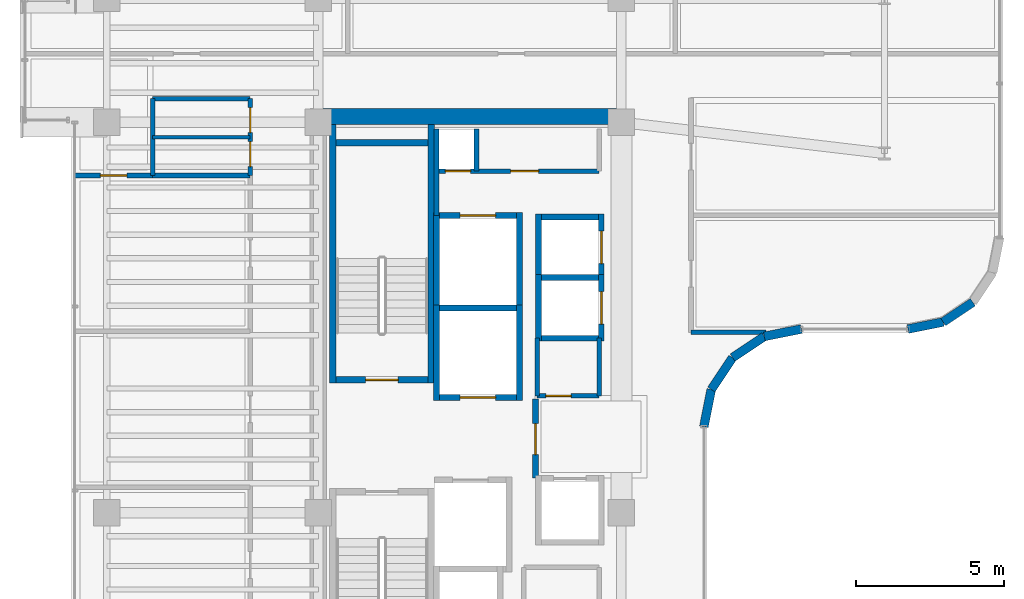
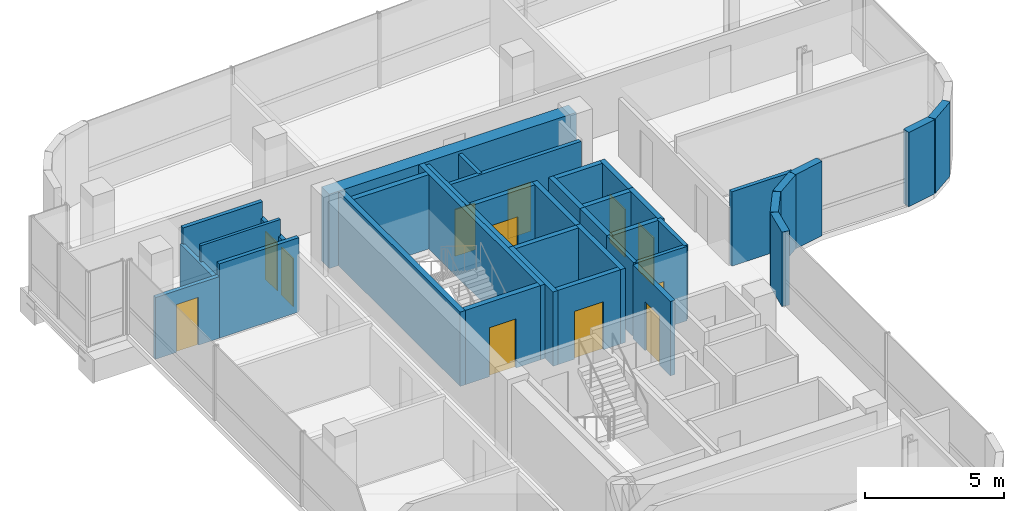
# One storey, part 18 of 21: 39 walls, 12 doors, 12 openings.
"""IFC4 building model written with IfcOpenShell, lengths in metres."""

from ifc_helpers import new_model, si_unit, direction, frame, frame_2d, origin, place, context, subcontext, project, spatial, rectangle, extrude, material, layer, layer_set, type_object, element, fill, save


model = new_model("IFC4")

# Units and contexts
model_context = context("Model", 3, precision=1e-05, world=origin(), true_north=direction((0.0, 1.0)))
body_context = subcontext(model_context, "Body", "Model", "MODEL_VIEW")
ifc_project = project(units=[si_unit("LENGTHUNIT", "METRE"), si_unit("AREAUNIT", "SQUARE_METRE"), si_unit("VOLUMEUNIT", "CUBIC_METRE"), si_unit("PLANEANGLEUNIT", "RADIAN"), si_unit("MASSUNIT", "GRAM", prefix="KILO")], contexts=[model_context])

# Site, building, storey
site_placement = place(None, origin())
site = spatial("IfcSite", under=ifc_project, at=site_placement, CompositionType="ELEMENT")
building_placement = place(site_placement, origin())
building = spatial("IfcBuilding", under=site, at=building_placement, Name="Valdorenza Pilgrim Sanctuary Tower", CompositionType="ELEMENT")
storey_placement = place(building_placement, frame((0.0, 0.0, 219.5)))
storey = spatial("IfcBuildingStorey", under=building, at=storey_placement, Name="L56", CompositionType="ELEMENT", Elevation=219.5)

# Wall
ifc_material_1 = material(Name="Acoustic twin-stud gypsum partition", Category="gypsum")
ifc_layer_1 = layer(ifc_material_1, 0.159912109375, Name="Acoustic twin-stud gypsum partition")
ifc_layer_set_1 = layer_set([ifc_layer_1], Name="Acoustic twin-stud gypsum partition")
wall_type_1 = type_object("IfcWallType", Name="WAL-COR-160", PredefinedType="PARTITIONING", material=ifc_layer_set_1)
wall_1_placement = place(storey_placement, frame((-18.64990234375, 7.449951171875, 0.0), z_axis=(0.0, 0.0, 1.0), x_axis=(0.0, 1.0, 0.0)))
element("IfcWall", 1, at=wall_1_placement, inside=storey, type_object=wall_type_1, Name="L56 Core A North Service West Wall", PredefinedType="PARTITIONING", context=body_context, shape_type="SweptSolid", body=[
    extrude(rectangle(XDim=2.929931640625, YDim=0.159912109375, at=frame_2d((1.46484375, 0.0))), origin(), (0.0, 0.0, 1.0), 3.260009765625),
])

# Wall, openings, doors
wall_2_placement = place(storey_placement, frame((-18.64990234375, 8.949951171875, 0.0), z_axis=(0.0, 0.0, 1.0), x_axis=(1.0, 0.0, 0.0)))
wall_2 = element("IfcWall", 2, at=wall_2_placement, inside=storey, type_object=wall_type_1, Name="L56 Core A North Service South Wall", PredefinedType="PARTITIONING", context=body_context, shape_type="SweptSolid", body=[
    extrude(rectangle(XDim=5.5, YDim=0.159912109375, at=frame_2d((2.75, 0.0))), origin(), (0.0, 0.0, 1.0), 3.260009765625),
])
opening_1_placement = place(wall_2_placement, frame((0.300048828125, 0.0, 0.0)))
opening_1 = element("IfcOpeningElement", 3, at=opening_1_placement, cuts=wall_2, Name="Opening DR-RS1", PredefinedType="OPENING", context=body_context, shape_type="SweptSolid", body=[
    extrude(rectangle(XDim=0.85009765625, YDim=2.050048828125, at=frame_2d((0.425048828125, 1.02490234375))), frame((0.0, 0.0947265625, 0.0), z_axis=(0.0, -1.0, 0.0), x_axis=(1.0, 0.0, 0.0)), (0.0, 0.0, 1.0), 0.189697265625),
])
opening_2_placement = place(wall_2_placement, frame((2.5, 0.0, 0.0)))
opening_2 = element("IfcOpeningElement", 4, at=opening_2_placement, cuts=wall_2, Name="Opening DR-UN1", PredefinedType="OPENING", context=body_context, shape_type="SweptSolid", body=[
    extrude(rectangle(XDim=0.949951171875, YDim=2.14990234375, at=frame_2d((0.47509765625, 1.074951171875))), frame((0.0, 0.0947265625, 0.0), z_axis=(0.0, -1.0, 0.0), x_axis=(1.0, 0.0, 0.0)), (0.0, 0.0, 1.0), 0.189697265625),
])
ifc_material_2 = material(Name="Painted galvanized steel", Category="steel")
door_type_1 = type_object("IfcDoorType", Name="DR-RSR-850", OperationType="NOTDEFINED", PredefinedType="DOOR", material=ifc_material_2)
door_1_placement = place(opening_1_placement, origin())
door_1 = element("IfcDoor", 5, at=door_1_placement, inside=storey, type_object=door_type_1, Name="L56 Core Electrical and Telecom Riser Door", OperationType="SINGLE_SWING_LEFT", OverallHeight=2.050048828125, OverallWidth=0.85009765625, PredefinedType="DOOR", context=body_context, shape_type="SweptSolid", body=[
    extrude(rectangle(XDim=0.85009765625, YDim=2.050048828125, at=frame_2d((0.425048828125, 1.02490234375))), frame((0.0, 0.02490234375, 0.0), z_axis=(0.0, -1.0, 0.0), x_axis=(1.0, 0.0, 0.0)), (0.0, 0.0, 1.0), 0.050048828125),
])
fill(opening_1, door_1)
ifc_material_3 = material(Name="Solid-core European oak timber", Category="wood")
door_type_2 = type_object("IfcDoorType", Name="DR-UNIT-950", OperationType="NOTDEFINED", PredefinedType="DOOR", material=ifc_material_3)
door_2_placement = place(opening_2_placement, origin())
door_2 = element("IfcDoor", 6, at=door_2_placement, inside=storey, type_object=door_type_2, Name="L56 Housekeeping and Clean Linen Room Door", OperationType="SINGLE_SWING_RIGHT", OverallHeight=2.14990234375, OverallWidth=0.949951171875, PredefinedType="DOOR", context=body_context, shape_type="SweptSolid", body=[
    extrude(rectangle(XDim=0.949951171875, YDim=2.14990234375, at=frame_2d((0.47509765625, 1.074951171875))), frame((0.0, 0.02490234375, 0.0), z_axis=(0.0, -1.0, 0.0), x_axis=(1.0, 0.0, 0.0)), (0.0, 0.0, 1.0), 0.050048828125),
])
fill(opening_2, door_2)

# Walls
wall_3_placement = place(storey_placement, frame((-17.300048828125, 8.949951171875, 0.0), z_axis=(0.0, 0.0, 1.0), x_axis=(0.0, 1.0, 0.0)))
element("IfcWall", 7, at=wall_3_placement, inside=storey, type_object=wall_type_1, Name="L56 Core Electrical Riser Wall", PredefinedType="PARTITIONING", context=body_context, shape_type="SweptSolid", body=[
    extrude(rectangle(XDim=1.429931640625, YDim=0.159912109375, at=frame_2d((0.71484375, 0.0))), origin(), (0.0, 0.0, 1.0), 3.260009765625),
])
wall_4_placement = place(storey_placement, frame((-13.14990234375, 1.35009765625, 0.0), z_axis=(0.0, 0.0, 1.0), x_axis=(0.0, 1.0, 0.0)))
element("IfcWall", 8, at=wall_4_placement, inside=storey, type_object=wall_type_1, Name="L56 Freed Shaft 6 East Wall", PredefinedType="PARTITIONING", context=body_context, shape_type="SweptSolid", body=[
    extrude(rectangle(XDim=1.949951171875, YDim=0.159912109375, at=frame_2d((0.97509765625, 0.0))), origin(), (0.0, 0.0, 1.0), 3.260009765625),
])
wall_5_placement = place(storey_placement, frame((-28.25, 8.800048828125, 0.0), z_axis=(0.0, 0.0, 1.0), x_axis=(0.0, 1.0, 0.0)))
element("IfcWall", 9, at=wall_5_placement, inside=storey, type_object=wall_type_1, Name="L56 Washroom West Wall", PredefinedType="PARTITIONING", context=body_context, shape_type="SweptSolid", body=[
    extrude(rectangle(XDim=2.599853515625, YDim=0.159912109375, at=frame_2d((1.2998046875, 0.0))), origin(), (0.0, 0.0, 1.0), 2.5439453125),
])

# Wall, openings, doors
wall_6_placement = place(storey_placement, frame((-24.949951171875, 8.800048828125, 0.0), z_axis=(0.0, 0.0, 1.0), x_axis=(0.0, 1.0, 0.0)))
wall_6 = element("IfcWall", 10, at=wall_6_placement, inside=storey, type_object=wall_type_1, Name="L56 Washroom East Wall", PredefinedType="PARTITIONING", context=body_context, shape_type="SweptSolid", body=[
    extrude(rectangle(XDim=2.599853515625, YDim=0.159912109375, at=frame_2d((1.2998046875, 0.0))), origin(), (0.0, 0.0, 1.0), 2.5439453125),
])
opening_3_placement = place(wall_6_placement, frame((0.300048828125, 0.0, 0.0)))
opening_3 = element("IfcOpeningElement", 11, at=opening_3_placement, cuts=wall_6, Name="Opening DR-WC1", PredefinedType="OPENING", context=body_context, shape_type="SweptSolid", body=[
    extrude(rectangle(XDim=0.85009765625, YDim=2.10009765625, at=frame_2d((0.425048828125, 1.050048828125))), frame((0.0, 0.0947265625, 0.0), z_axis=(0.0, -1.0, 0.0), x_axis=(1.0, 0.0, 0.0)), (0.0, 0.0, 1.0), 0.189697265625),
])
opening_4_placement = place(wall_6_placement, frame((1.449951171875, 0.0, 0.0)))
opening_4 = element("IfcOpeningElement", 12, at=opening_4_placement, cuts=wall_6, Name="Opening DR-WC1", PredefinedType="OPENING", context=body_context, shape_type="SweptSolid", body=[
    extrude(rectangle(XDim=0.85009765625, YDim=2.10009765625, at=frame_2d((0.425048828125, 1.050048828125))), frame((0.0, 0.0947265625, 0.0), z_axis=(0.0, -1.0, 0.0), x_axis=(1.0, 0.0, 0.0)), (0.0, 0.0, 1.0), 0.189697265625),
])
ifc_material_4 = material(Name="Moisture-resistant lacquered timber", Category="wood")
door_type_3 = type_object("IfcDoorType", Name="DR-BATH-850", OperationType="NOTDEFINED", PredefinedType="DOOR", material=ifc_material_4)
door_3_placement = place(opening_3_placement, origin())
door_3 = element("IfcDoor", 13, at=door_3_placement, inside=storey, type_object=door_type_3, Name="L56 Accessible Washroom Door", OperationType="SINGLE_SWING_RIGHT", OverallHeight=2.10009765625, OverallWidth=0.85009765625, PredefinedType="DOOR", context=body_context, shape_type="SweptSolid", body=[
    extrude(rectangle(XDim=0.85009765625, YDim=2.10009765625, at=frame_2d((0.425048828125, 1.050048828125))), frame((0.0, 0.02490234375, 0.0), z_axis=(0.0, -1.0, 0.0), x_axis=(1.0, 0.0, 0.0)), (0.0, 0.0, 1.0), 0.050048828125),
])
fill(opening_3, door_3)
door_4_placement = place(opening_4_placement, origin())
door_4 = element("IfcDoor", 14, at=door_4_placement, inside=storey, type_object=door_type_3, Name="L56 Public Washroom Door", OperationType="SINGLE_SWING_LEFT", OverallHeight=2.10009765625, OverallWidth=0.85009765625, PredefinedType="DOOR", context=body_context, shape_type="SweptSolid", body=[
    extrude(rectangle(XDim=0.85009765625, YDim=2.10009765625, at=frame_2d((0.425048828125, 1.050048828125))), frame((0.0, 0.02490234375, 0.0), z_axis=(0.0, -1.0, 0.0), x_axis=(1.0, 0.0, 0.0)), (0.0, 0.0, 1.0), 0.050048828125),
])
fill(opening_4, door_4)

# Walls
for number, where, z_axis, x_axis, name in (
    (15, (-28.25, 8.800048828125, 0.0), (0.0, 0.0, 1.0), (1.0, 0.0, 0.0), "L56 Washroom South Wall"),
    (16, (-28.25, 11.39990234375, 0.0), (0.0, 0.0, 1.0), (1.0, 0.0, 0.0), "L56 Washroom North Wall"),
):
    element("IfcWall", number, at=place(storey_placement, frame(where, z_axis=z_axis, x_axis=x_axis)), inside=storey, type_object=wall_type_1, Name=name, PredefinedType="PARTITIONING", context=body_context, shape_type="SweptSolid", body=[
        extrude(rectangle(XDim=3.300048828125, YDim=0.159912109375, at=frame_2d((1.64990234375, 0.0))), origin(), (0.0, 0.0, 1.0), 3.260009765625),
    ])

# Wall, opening, door
wall_7_placement = place(storey_placement, frame((-30.889892578125, 8.800048828125, 0.0), z_axis=(0.0, 0.0, 1.0), x_axis=(1.0, 0.0, 0.0)))
wall_7 = element("IfcWall", 17, at=wall_7_placement, inside=storey, type_object=wall_type_1, Name="L56 West North Alcove Wall", PredefinedType="PARTITIONING", context=body_context, shape_type="SweptSolid", body=[
    extrude(rectangle(XDim=2.639892578125, YDim=0.159912109375, at=frame_2d((1.31982421875, 0.0))), origin(), (0.0, 0.0, 1.0), 2.7060546875),
])
opening_5_placement = place(wall_7_placement, frame((0.8701171875, 0.0, 0.0)))
opening_5 = element("IfcOpeningElement", 18, at=opening_5_placement, cuts=wall_7, Name="Opening DR-RM1", PredefinedType="OPENING", context=body_context, shape_type="SweptSolid", body=[
    extrude(rectangle(XDim=0.89990234375, YDim=2.10009765625, at=frame_2d((0.449951171875, 1.050048828125))), frame((0.0, 0.0947265625, 0.0), z_axis=(0.0, -1.0, 0.0), x_axis=(1.0, 0.0, 0.0)), (0.0, 0.0, 1.0), 0.189697265625),
])
door_type_4 = type_object("IfcDoorType", Name="DR-ROOM-900", OperationType="NOTDEFINED", PredefinedType="DOOR", material=ifc_material_3)
door_5_placement = place(opening_5_placement, origin())
door_5 = element("IfcDoor", 19, at=door_5_placement, inside=storey, type_object=door_type_4, Name="L56 Pilgrim Scholar Office L56-WN Door", OperationType="SINGLE_SWING_RIGHT", OverallHeight=2.10009765625, OverallWidth=0.89990234375, PredefinedType="DOOR", context=body_context, shape_type="SweptSolid", body=[
    extrude(rectangle(XDim=0.89990234375, YDim=2.10009765625, at=frame_2d((0.449951171875, 1.050048828125))), frame((0.0, 0.02490234375, 0.0), z_axis=(0.0, -1.0, 0.0), x_axis=(1.0, 0.0, 0.0)), (0.0, 0.0, 1.0), 0.050048828125),
])
fill(opening_5, door_5)

# Walls
wall_8_placement = place(storey_placement, frame((-10.050048828125, 3.5, 0.0), z_axis=(0.0, 0.0, 1.0), x_axis=(1.0, 0.0, 0.0)))
element("IfcWall", 20, at=wall_8_placement, inside=storey, type_object=wall_type_1, Name="L56 East Stub South Wall", PredefinedType="PARTITIONING", context=body_context, shape_type="SweptSolid", body=[
    extrude(rectangle(XDim=2.545654296875, YDim=0.159912109375, at=frame_2d((1.27294921875, 0.0))), origin(), (0.0, 0.0, 1.0), 3.260009765625),
])
ifc_material_5 = material(Name="Concrete C50/60", Category="concrete")
ifc_layer_2 = layer(ifc_material_5, 0.550048828125, Name="Concrete C50/60")
ifc_layer_set_2 = layer_set([ifc_layer_2], Name="Concrete C50/60")
wall_type_2 = type_object("IfcWallType", Name="WAL-COR-550", PredefinedType="SHEAR", material=ifc_layer_set_2)
wall_9_placement = place(storey_placement, frame((-22.64990234375, 10.800048828125, 0.0), z_axis=(0.0, 0.0, 1.0), x_axis=(1.0, 0.0, 0.0)))
element("IfcWall", 21, at=wall_9_placement, inside=storey, type_object=wall_type_2, Name="L56 Split Core A Shear Wall N", PredefinedType="SHEAR", context=body_context, shape_type="SweptSolid", body=[
    extrude(rectangle(XDim=10.25, YDim=0.550048828125, at=frame_2d((5.125, 0.0))), origin(), (0.0, 0.0, 1.0), 3.260009765625),
])
ifc_material_6 = material(Name="Honed travertine limestone", Category="masonry")
ifc_layer_3 = layer(ifc_material_6, 0.300048828125, Name="Honed travertine limestone")
ifc_layer_set_3 = layer_set([ifc_layer_3], Name="Honed travertine limestone")
wall_type_3 = type_object("IfcWallType", Name="WAL-EXT-300", PredefinedType="SOLIDWALL", material=ifc_layer_set_3)
wall_10_placement = place(storey_placement, frame((-0.5166015625, 4.5166015625, 0.0), z_axis=(0.0, 0.0, 1.0), x_axis=(-0.831426265255, -0.555635100982, 0.0)))
element("IfcWall", 22, at=wall_10_placement, inside=storey, type_object=wall_type_3, Name="L56 Rounded Wind-Corner Stone Pier 14", PredefinedType="SOLIDWALL", context=body_context, shape_type="SweptSolid", body=[
    extrude(rectangle(XDim=1.204833984375, YDim=0.300048828125, at=frame_2d((0.6025390625, 0.0))), origin(), (0.0, 0.0, 1.0), 3.260009765625),
])
wall_11_placement = place(storey_placement, frame((-1.518310546875, 3.84716796875, 0.0), z_axis=(0.0, 0.0, 1.0), x_axis=(-0.980804027463, -0.194996050505, 0.0)))
element("IfcWall", 23, at=wall_11_placement, inside=storey, type_object=wall_type_3, Name="L56 Rounded Wind-Corner Stone Pier 15", PredefinedType="SOLIDWALL", context=body_context, shape_type="SweptSolid", body=[
    extrude(rectangle(XDim=1.2158203125, YDim=0.300048828125, at=frame_2d((0.60791015625, 0.0))), origin(), (0.0, 0.0, 1.0), 3.260009765625),
])
wall_12_placement = place(storey_placement, frame((-6.310791015625, 3.610107421875, 0.0), z_axis=(0.0, 0.0, 1.0), x_axis=(-0.980778058848, -0.195126623715, 0.0)))
element("IfcWall", 24, at=wall_12_placement, inside=storey, type_object=wall_type_3, Name="L56 Rounded Wind-Corner Stone Pier 17", PredefinedType="SOLIDWALL", context=body_context, shape_type="SweptSolid", body=[
    extrude(rectangle(XDim=1.28125, YDim=0.300048828125, at=frame_2d((0.640625, 0.0))), origin(), (0.0, 0.0, 1.0), 3.260009765625),
])
for number, where, z_axis, x_axis, name in (
    (25, (-7.5673828125, 3.360107421875, 0.0), (0.0, 0.0, 1.0), (-0.831497739511, -0.555528135371, 0.0), "L56 Rounded Wind-Corner Stone Pier 18"),
    (26, (-8.64208984375, 2.64208984375, 0.0), (0.0, 0.0, 1.0), (-0.555528135371, -0.831497739511, 0.0), "L56 Rounded Wind-Corner Stone Pier 19"),
):
    element("IfcWall", number, at=place(storey_placement, frame(where, z_axis=z_axis, x_axis=x_axis)), inside=storey, type_object=wall_type_3, Name=name, PredefinedType="SOLIDWALL", context=body_context, shape_type="SweptSolid", body=[
        extrude(rectangle(XDim=1.29248046875, YDim=0.300048828125, at=frame_2d((0.646240234375, 0.0))), origin(), (0.0, 0.0, 1.0), 3.260009765625),
    ])
wall_13_placement = place(storey_placement, frame((-9.360107421875, 1.5673828125, 0.0), z_axis=(0.0, 0.0, 1.0), x_axis=(-0.195126623715, -0.980778058848, 0.0)))
element("IfcWall", 27, at=wall_13_placement, inside=storey, type_object=wall_type_3, Name="L56 Rounded Wind-Corner Stone Pier 20", PredefinedType="SOLIDWALL", context=body_context, shape_type="SweptSolid", body=[
    extrude(rectangle(XDim=1.28125, YDim=0.300048828125, at=frame_2d((0.640625, 0.0))), origin(), (0.0, 0.0, 1.0), 3.260009765625),
])

# Wall, opening, door
ifc_material_7 = material(Name="Gypsum shaftwall partition", Category="gypsum")
ifc_layer_4 = layer(ifc_material_7, 0.199951171875, Name="Gypsum shaftwall partition")
ifc_layer_set_4 = layer_set([ifc_layer_4], Name="Gypsum shaftwall partition")
wall_type_4 = type_object("IfcWallType", Name="WAL-FFL-200", PredefinedType="PARTITIONING", material=ifc_layer_set_4)
wall_14_placement = place(storey_placement, frame((-15.300048828125, -1.419921875, 0.0), z_axis=(0.0, 0.0, 1.0), x_axis=(0.0, 1.0, 0.0)))
wall_14 = element("IfcWall", 28, at=wall_14_placement, inside=storey, type_object=wall_type_4, Name="L56 Core A Firefighting Lobby East Wall", PredefinedType="PARTITIONING", context=body_context, shape_type="SweptSolid", body=[
    extrude(rectangle(XDim=2.669921875, YDim=0.199951171875, at=frame_2d((1.3349609375, 0.0))), origin(), (0.0, 0.0, 1.0), 3.260009765625),
])
opening_6_placement = place(wall_14_placement, frame((0.780029296875, 0.0, 0.0)))
opening_6 = element("IfcOpeningElement", 29, at=opening_6_placement, cuts=wall_14, Name="Opening DR-FL1", PredefinedType="OPENING", context=body_context, shape_type="SweptSolid", body=[
    extrude(rectangle(XDim=1.050048828125, YDim=2.14990234375, at=frame_2d((0.52490234375, 1.074951171875))), frame((0.0, 0.11474609375, 0.0), z_axis=(0.0, -1.0, 0.0), x_axis=(1.0, 0.0, 0.0)), (0.0, 0.0, 1.0), 0.229736328125),
])
door_type_5 = type_object("IfcDoorType", Name="DR-FFL-1050", OperationType="NOTDEFINED", PredefinedType="DOOR", material=ifc_material_2)
door_6_placement = place(opening_6_placement, origin())
door_6 = element("IfcDoor", 30, at=door_6_placement, inside=storey, type_object=door_type_5, Name="L56 Core A Firefighting Lobby Door", OperationType="SINGLE_SWING_RIGHT", OverallHeight=2.14990234375, OverallWidth=1.050048828125, PredefinedType="DOOR", context=body_context, shape_type="SweptSolid", body=[
    extrude(rectangle(XDim=1.050048828125, YDim=2.14990234375, at=frame_2d((0.52490234375, 1.074951171875))), frame((0.0, 0.02490234375, 0.0), z_axis=(0.0, -1.0, 0.0), x_axis=(1.0, 0.0, 0.0)), (0.0, 0.0, 1.0), 0.050048828125),
])
fill(opening_6, door_6)

# Walls
ifc_material_8 = material(Name="Moisture-resistant gypsum partition", Category="gypsum")
ifc_layer_5 = layer(ifc_material_8, 0.1201171875, Name="Moisture-resistant gypsum partition")
ifc_layer_set_5 = layer_set([ifc_layer_5], Name="Moisture-resistant gypsum partition")
wall_type_5 = type_object("IfcWallType", Name="WAL-INT-120", PredefinedType="PARTITIONING", material=ifc_layer_set_5)
wall_15_placement = place(storey_placement, frame((-28.25, 10.10009765625, 0.0), z_axis=(0.0, 0.0, 1.0), x_axis=(1.0, 0.0, 0.0)))
element("IfcWall", 31, at=wall_15_placement, inside=storey, type_object=wall_type_5, Name="L56 Washroom Divider Wall", PredefinedType="PARTITIONING", context=body_context, shape_type="SweptSolid", body=[
    extrude(rectangle(XDim=3.300048828125, YDim=0.1201171875, at=frame_2d((1.64990234375, 0.0))), origin(), (0.0, 0.0, 1.0), 3.260009765625),
])
ifc_material_9 = material(Name="Autoclaved aerated concrete blockwork", Category="masonry")
ifc_layer_6 = layer(ifc_material_9, 0.199951171875, Name="Autoclaved aerated concrete blockwork")
ifc_layer_set_6 = layer_set([ifc_layer_6], Name="Autoclaved aerated concrete blockwork")
wall_type_6 = type_object("IfcWallType", Name="WAL-SHF-200", PredefinedType="MOVABLE", material=ifc_layer_set_6)
for number, where, z_axis, x_axis, name in (
    (32, (-18.64990234375, 1.199951171875, 0.0), (0.0, 0.0, 1.0), (0.0, 1.0, 0.0), "L56 Lift FFL-01 Hoistway Wall West"),
    (33, (-15.85009765625, 1.199951171875, 0.0), (0.0, 0.0, 1.0), (0.0, 1.0, 0.0), "L56 Lift FFL-01 Hoistway Wall East"),
):
    element("IfcWall", number, at=place(storey_placement, frame(where, z_axis=z_axis, x_axis=x_axis)), inside=storey, type_object=wall_type_6, Name=name, PredefinedType="MOVABLE", context=body_context, shape_type="SweptSolid", body=[
        extrude(rectangle(XDim=3.22509765625, YDim=0.199951171875, at=frame_2d((1.612548828125, 0.0))), origin(), (0.0, 0.0, 1.0), 3.260009765625),
    ])

# Wall, opening, door
wall_16_placement = place(storey_placement, frame((-18.550048828125, 1.300048828125, 0.0), z_axis=(0.0, 0.0, 1.0), x_axis=(1.0, 0.0, 0.0)))
wall_16 = element("IfcWall", 34, at=wall_16_placement, inside=storey, type_object=wall_type_6, Name="L56 Lift FFL-01 Hoistway Wall South", PredefinedType="MOVABLE", context=body_context, shape_type="SweptSolid", body=[
    extrude(rectangle(XDim=2.60009765625, YDim=0.199951171875, at=frame_2d((1.300048828125, 0.0))), origin(), (0.0, 0.0, 1.0), 3.260009765625),
])
opening_7_placement = place(wall_16_placement, frame((0.699951171875, 0.0, 0.0)))
opening_7 = element("IfcOpeningElement", 35, at=opening_7_placement, cuts=wall_16, Name="Opening LD-02", PredefinedType="OPENING", context=body_context, shape_type="SweptSolid", body=[
    extrude(rectangle(XDim=1.199951171875, YDim=2.10009765625, at=frame_2d((0.60009765625, 1.050048828125))), frame((0.0, 0.11474609375, 0.0), z_axis=(0.0, -1.0, 0.0), x_axis=(1.0, 0.0, 0.0)), (0.0, 0.0, 1.0), 0.229736328125),
])
ifc_material_10 = material(Name="Brushed stainless steel Grade 316", Category="steel")
door_type_6 = type_object("IfcDoorType", Name="DR-LFT-1200", OperationType="DOUBLE_DOOR_SLIDING", PredefinedType="DOOR", material=ifc_material_10)
door_7_placement = place(opening_7_placement, origin())
door_7 = element("IfcDoor", 36, at=door_7_placement, inside=storey, type_object=door_type_6, Name="L56 Lift FFL-01 Sliding Landing Door", OperationType="DOUBLE_DOOR_SLIDING", OverallHeight=2.10009765625, OverallWidth=1.199951171875, PredefinedType="DOOR", context=body_context, shape_type="SweptSolid", body=[
    extrude(rectangle(XDim=1.199951171875, YDim=2.10009765625, at=frame_2d((0.60009765625, 1.050048828125))), frame((0.0, 0.02490234375, 0.0), z_axis=(0.0, -1.0, 0.0), x_axis=(1.0, 0.0, 0.0)), (0.0, 0.0, 1.0), 0.050048828125),
])
fill(opening_7, door_7)

# Walls
wall_17_placement = place(storey_placement, frame((-18.550048828125, 4.324951171875, 0.0), z_axis=(0.0, 0.0, 1.0), x_axis=(1.0, 0.0, 0.0)))
element("IfcWall", 37, at=wall_17_placement, inside=storey, type_object=wall_type_6, Name="L56 Lift FFL-01 Hoistway Wall North", PredefinedType="MOVABLE", context=body_context, shape_type="SweptSolid", body=[
    extrude(rectangle(XDim=2.60009765625, YDim=0.199951171875, at=frame_2d((1.300048828125, 0.0))), origin(), (0.0, 0.0, 1.0), 3.260009765625),
])
for number, where, z_axis, x_axis, name in (
    (38, (-18.64990234375, 4.22509765625, 0.0), (0.0, 0.0, 1.0), (0.0, 1.0, 0.0), "L56 Lift SVL-01 Hoistway Wall West"),
    (39, (-15.85009765625, 4.22509765625, 0.0), (0.0, 0.0, 1.0), (0.0, 1.0, 0.0), "L56 Lift SVL-01 Hoistway Wall East"),
):
    element("IfcWall", number, at=place(storey_placement, frame(where, z_axis=z_axis, x_axis=x_axis)), inside=storey, type_object=wall_type_6, Name=name, PredefinedType="MOVABLE", context=body_context, shape_type="SweptSolid", body=[
        extrude(rectangle(XDim=3.324951171875, YDim=0.199951171875, at=frame_2d((1.66259765625, 0.0))), origin(), (0.0, 0.0, 1.0), 3.260009765625),
    ])

# Wall, opening, door
wall_18_placement = place(storey_placement, frame((-18.550048828125, 7.449951171875, 0.0), z_axis=(0.0, 0.0, 1.0), x_axis=(1.0, 0.0, 0.0)))
wall_18 = element("IfcWall", 40, at=wall_18_placement, inside=storey, type_object=wall_type_6, Name="L56 Lift SVL-01 Hoistway Wall North", PredefinedType="MOVABLE", context=body_context, shape_type="SweptSolid", body=[
    extrude(rectangle(XDim=2.60009765625, YDim=0.199951171875, at=frame_2d((1.300048828125, 0.0))), origin(), (0.0, 0.0, 1.0), 3.260009765625),
])
opening_8_placement = place(wall_18_placement, frame((0.699951171875, 0.0, 0.0)))
opening_8 = element("IfcOpeningElement", 41, at=opening_8_placement, cuts=wall_18, Name="Opening LD-02", PredefinedType="OPENING", context=body_context, shape_type="SweptSolid", body=[
    extrude(rectangle(XDim=1.199951171875, YDim=2.10009765625, at=frame_2d((0.60009765625, 1.050048828125))), frame((0.0, 0.11474609375, 0.0), z_axis=(0.0, -1.0, 0.0), x_axis=(1.0, 0.0, 0.0)), (0.0, 0.0, 1.0), 0.229736328125),
])
door_8_placement = place(opening_8_placement, origin())
door_8 = element("IfcDoor", 42, at=door_8_placement, inside=storey, type_object=door_type_6, Name="L56 Lift SVL-01 Sliding Landing Door", OperationType="DOUBLE_DOOR_SLIDING", OverallHeight=2.10009765625, OverallWidth=1.199951171875, PredefinedType="DOOR", context=body_context, shape_type="SweptSolid", body=[
    extrude(rectangle(XDim=1.199951171875, YDim=2.10009765625, at=frame_2d((0.60009765625, 1.050048828125))), frame((0.0, 0.02490234375, 0.0), z_axis=(0.0, -1.0, 0.0), x_axis=(1.0, 0.0, 0.0)), (0.0, 0.0, 1.0), 0.050048828125),
])
fill(opening_8, door_8)

# Wall
wall_19_placement = place(storey_placement, frame((-15.199951171875, 3.199951171875, 0.0), z_axis=(0.0, 0.0, 1.0), x_axis=(0.0, 1.0, 0.0)))
element("IfcWall", 43, at=wall_19_placement, inside=storey, type_object=wall_type_6, Name="L56 Lift PL-09 Hoistway Wall West", PredefinedType="MOVABLE", context=body_context, shape_type="SweptSolid", body=[
    extrude(rectangle(XDim=2.25, YDim=0.199951171875, at=frame_2d((1.125, 0.0))), origin(), (0.0, 0.0, 1.0), 3.260009765625),
])

# Wall, opening, door
wall_20_placement = place(storey_placement, frame((-13.080078125, 3.199951171875, 0.0), z_axis=(0.0, 0.0, 1.0), x_axis=(0.0, 1.0, 0.0)))
wall_20 = element("IfcWall", 44, at=wall_20_placement, inside=storey, type_object=wall_type_6, Name="L56 Lift PL-09 Hoistway Wall East", PredefinedType="MOVABLE", context=body_context, shape_type="SweptSolid", body=[
    extrude(rectangle(XDim=2.25, YDim=0.199951171875, at=frame_2d((1.125, 0.0))), origin(), (0.0, 0.0, 1.0), 3.260009765625),
])
opening_9_placement = place(wall_20_placement, frame((0.574951171875, 0.0, 0.0)))
opening_9 = element("IfcOpeningElement", 45, at=opening_9_placement, cuts=wall_20, Name="Opening LD-01", PredefinedType="OPENING", context=body_context, shape_type="SweptSolid", body=[
    extrude(rectangle(XDim=1.10009765625, YDim=2.10009765625, at=frame_2d((0.550048828125, 1.050048828125))), frame((0.0, 0.11474609375, 0.0), z_axis=(0.0, -1.0, 0.0), x_axis=(1.0, 0.0, 0.0)), (0.0, 0.0, 1.0), 0.229736328125),
])
door_type_7 = type_object("IfcDoorType", Name="DR-LFT-1100", OperationType="DOUBLE_DOOR_SLIDING", PredefinedType="DOOR", material=ifc_material_10)
door_9_placement = place(opening_9_placement, origin())
door_9 = element("IfcDoor", 46, at=door_9_placement, inside=storey, type_object=door_type_7, Name="L56 Lift PL-09 Sliding Landing Door", OperationType="DOUBLE_DOOR_SLIDING", OverallHeight=2.10009765625, OverallWidth=1.10009765625, PredefinedType="DOOR", context=body_context, shape_type="SweptSolid", body=[
    extrude(rectangle(XDim=1.10009765625, YDim=2.10009765625, at=frame_2d((0.550048828125, 1.050048828125))), frame((0.0, 0.02490234375, 0.0), z_axis=(0.0, -1.0, 0.0), x_axis=(1.0, 0.0, 0.0)), (0.0, 0.0, 1.0), 0.050048828125),
])
fill(opening_9, door_9)

# Walls
for number, where, z_axis, x_axis, name in (
    (47, (-15.10009765625, 3.300048828125, 0.0), (0.0, 0.0, 1.0), (1.0, 0.0, 0.0), "L56 Lift PL-09 Hoistway Wall South"),
    (48, (-15.10009765625, 5.35009765625, 0.0), (0.0, 0.0, 1.0), (1.0, 0.0, 0.0), "L56 Lift PL-09 Hoistway Wall North"),
):
    element("IfcWall", number, at=place(storey_placement, frame(where, z_axis=z_axis, x_axis=x_axis)), inside=storey, type_object=wall_type_6, Name=name, PredefinedType="MOVABLE", context=body_context, shape_type="SweptSolid", body=[
        extrude(rectangle(XDim=1.920166015625, YDim=0.199951171875, at=frame_2d((0.9599609375, 0.0))), origin(), (0.0, 0.0, 1.0), 3.260009765625),
    ])
wall_21_placement = place(storey_placement, frame((-15.199951171875, 5.25, 0.0), z_axis=(0.0, 0.0, 1.0), x_axis=(0.0, 1.0, 0.0)))
element("IfcWall", 49, at=wall_21_placement, inside=storey, type_object=wall_type_6, Name="L56 Lift PL-10 Hoistway Wall West", PredefinedType="MOVABLE", context=body_context, shape_type="SweptSolid", body=[
    extrude(rectangle(XDim=2.25, YDim=0.199951171875, at=frame_2d((1.125, 0.0))), origin(), (0.0, 0.0, 1.0), 3.260009765625),
])

# Wall, opening, door
wall_22_placement = place(storey_placement, frame((-13.080078125, 5.25, 0.0), z_axis=(0.0, 0.0, 1.0), x_axis=(0.0, 1.0, 0.0)))
wall_22 = element("IfcWall", 50, at=wall_22_placement, inside=storey, type_object=wall_type_6, Name="L56 Lift PL-10 Hoistway Wall East", PredefinedType="MOVABLE", context=body_context, shape_type="SweptSolid", body=[
    extrude(rectangle(XDim=2.25, YDim=0.199951171875, at=frame_2d((1.125, 0.0))), origin(), (0.0, 0.0, 1.0), 3.260009765625),
])
opening_10_placement = place(wall_22_placement, frame((0.574951171875, 0.0, 0.0)))
opening_10 = element("IfcOpeningElement", 51, at=opening_10_placement, cuts=wall_22, Name="Opening LD-01", PredefinedType="OPENING", context=body_context, shape_type="SweptSolid", body=[
    extrude(rectangle(XDim=1.10009765625, YDim=2.10009765625, at=frame_2d((0.550048828125, 1.050048828125))), frame((0.0, 0.11474609375, 0.0), z_axis=(0.0, -1.0, 0.0), x_axis=(1.0, 0.0, 0.0)), (0.0, 0.0, 1.0), 0.229736328125),
])
door_10_placement = place(opening_10_placement, origin())
door_10 = element("IfcDoor", 52, at=door_10_placement, inside=storey, type_object=door_type_7, Name="L56 Lift PL-10 Sliding Landing Door", OperationType="DOUBLE_DOOR_SLIDING", OverallHeight=2.10009765625, OverallWidth=1.10009765625, PredefinedType="DOOR", context=body_context, shape_type="SweptSolid", body=[
    extrude(rectangle(XDim=1.10009765625, YDim=2.10009765625, at=frame_2d((0.550048828125, 1.050048828125))), frame((0.0, 0.02490234375, 0.0), z_axis=(0.0, -1.0, 0.0), x_axis=(1.0, 0.0, 0.0)), (0.0, 0.0, 1.0), 0.050048828125),
])
fill(opening_10, door_10)

# Walls
wall_23_placement = place(storey_placement, frame((-15.10009765625, 7.39990234375, 0.0), z_axis=(0.0, 0.0, 1.0), x_axis=(1.0, 0.0, 0.0)))
element("IfcWall", 53, at=wall_23_placement, inside=storey, type_object=wall_type_6, Name="L56 Lift PL-10 Hoistway Wall North", PredefinedType="MOVABLE", context=body_context, shape_type="SweptSolid", body=[
    extrude(rectangle(XDim=1.920166015625, YDim=0.199951171875, at=frame_2d((0.9599609375, 0.0))), origin(), (0.0, 0.0, 1.0), 3.260009765625),
])
ifc_material_11 = material(Name="Concrete C40/50", Category="concrete")
ifc_layer_7 = layer(ifc_material_11, 0.219970703125, Name="Concrete C40/50")
ifc_layer_set_7 = layer_set([ifc_layer_7], Name="Concrete C40/50")
wall_type_7 = type_object("IfcWallType", Name="WAL-STR-SHF-220", PredefinedType="SHEAR", material=ifc_layer_set_7)
for number, where, z_axis, x_axis, name in (
    (54, (-22.159912109375, 1.780029296875, 0.0), (0.0, 0.0, 1.0), (0.0, 1.0, 0.0), "L56 ST-A1 Structural Stairwell Wall W"),
    (55, (-18.830078125, 1.780029296875, 0.0), (0.0, 0.0, 1.0), (0.0, 1.0, 0.0), "L56 ST-A1 Structural Stairwell Wall E"),
):
    element("IfcWall", number, at=place(storey_placement, frame(where, z_axis=z_axis, x_axis=x_axis)), inside=storey, type_object=wall_type_7, Name=name, PredefinedType="SHEAR", context=body_context, shape_type="SweptSolid", body=[
        extrude(rectangle(XDim=8.744873046875, YDim=0.219970703125, at=frame_2d((4.37255859375, 0.0))), origin(), (0.0, 0.0, 1.0), 3.260009765625),
    ])

# Wall, opening, door
wall_24_placement = place(storey_placement, frame((-22.050048828125, 1.889892578125, 0.0), z_axis=(0.0, 0.0, 1.0), x_axis=(1.0, 0.0, 0.0)))
wall_24 = element("IfcWall", 56, at=wall_24_placement, inside=storey, type_object=wall_type_7, Name="L56 ST-A1 Structural Stairwell Wall S", PredefinedType="SHEAR", context=body_context, shape_type="SweptSolid", body=[
    extrude(rectangle(XDim=3.110107421875, YDim=0.219970703125, at=frame_2d((1.55517578125, 0.0))), origin(), (0.0, 0.0, 1.0), 3.260009765625),
])
opening_11_placement = place(wall_24_placement, frame((1.0, 0.0, 0.0)))
opening_11 = element("IfcOpeningElement", 57, at=opening_11_placement, cuts=wall_24, Name="Opening DR-ST1", PredefinedType="OPENING", context=body_context, shape_type="SweptSolid", body=[
    extrude(rectangle(XDim=1.10009765625, YDim=2.14990234375, at=frame_2d((0.550048828125, 1.074951171875))), frame((0.0, 0.125, 0.0), z_axis=(0.0, -1.0, 0.0), x_axis=(1.0, 0.0, 0.0)), (0.0, 0.0, 1.0), 0.249755859375),
])
door_type_8 = type_object("IfcDoorType", Name="DR-STAIR-1100", OperationType="NOTDEFINED", PredefinedType="DOOR", material=ifc_material_2)
door_11_placement = place(opening_11_placement, frame((1.10009765625, 0.0, 0.0), z_axis=(0.0, 0.0, 1.0), x_axis=(-1.0, 0.0, 0.0)))
door_11 = element("IfcDoor", 58, at=door_11_placement, inside=storey, type_object=door_type_8, Name="L56 Exit Stair ST-A1 Door", OperationType="SINGLE_SWING_LEFT", OverallHeight=2.14990234375, OverallWidth=1.10009765625, PredefinedType="DOOR", context=body_context, shape_type="SweptSolid", body=[
    extrude(rectangle(XDim=1.10009765625, YDim=2.14990234375, at=frame_2d((0.550048828125, 1.074951171875))), frame((0.0, 0.02490234375, 0.0), z_axis=(0.0, -1.0, 0.0), x_axis=(1.0, 0.0, 0.0)), (0.0, 0.0, 1.0), 0.050048828125),
])
fill(opening_11, door_11)

# Walls
wall_25_placement = place(storey_placement, frame((-22.050048828125, 9.909912109375, 0.0), z_axis=(0.0, 0.0, 1.0), x_axis=(1.0, 0.0, 0.0)))
element("IfcWall", 59, at=wall_25_placement, inside=storey, type_object=wall_type_7, Name="L56 ST-A1 Structural Stairwell Wall N", PredefinedType="SHEAR", context=body_context, shape_type="SweptSolid", body=[
    extrude(rectangle(XDim=3.110107421875, YDim=0.219970703125, at=frame_2d((1.55517578125, 0.0))), origin(), (0.0, 0.0, 1.0), 3.260009765625),
])
ifc_layer_8 = layer(ifc_material_1, 0.14990234375, Name="Acoustic twin-stud gypsum partition")
ifc_layer_set_8 = layer_set([ifc_layer_8], Name="Acoustic twin-stud gypsum partition")
wall_type_8 = type_object("IfcWallType", Name="WAL-UNT-150", PredefinedType="PARTITIONING", material=ifc_layer_set_8)
wall_26_placement = place(storey_placement, frame((-15.25, 1.35009765625, 0.0), z_axis=(0.0, 0.0, 1.0), x_axis=(0.0, 1.0, 0.0)))
element("IfcWall", 60, at=wall_26_placement, inside=storey, type_object=wall_type_8, Name="L56 Freed Shaft 6 West Wall", PredefinedType="PARTITIONING", context=body_context, shape_type="SweptSolid", body=[
    extrude(rectangle(XDim=1.949951171875, YDim=0.14990234375, at=frame_2d((0.97509765625, 0.0))), origin(), (0.0, 0.0, 1.0), 3.260009765625),
])

# Wall, opening, door
wall_27_placement = place(storey_placement, frame((-15.25, 1.35009765625, 0.0), z_axis=(0.0, 0.0, 1.0), x_axis=(1.0, 0.0, 0.0)))
wall_27 = element("IfcWall", 61, at=wall_27_placement, inside=storey, type_object=wall_type_8, Name="L56 Freed Shaft 6 South Wall", PredefinedType="PARTITIONING", context=body_context, shape_type="SweptSolid", body=[
    extrude(rectangle(XDim=2.10009765625, YDim=0.14990234375, at=frame_2d((1.050048828125, 0.0))), origin(), (0.0, 0.0, 1.0), 3.260009765625),
])
opening_12_placement = place(wall_27_placement, frame((0.300048828125, 0.0, 0.0)))
opening_12 = element("IfcOpeningElement", 62, at=opening_12_placement, cuts=wall_27, Name="Opening DR-RS1", PredefinedType="OPENING", context=body_context, shape_type="SweptSolid", body=[
    extrude(rectangle(XDim=0.85009765625, YDim=2.050048828125, at=frame_2d((0.425048828125, 1.02490234375))), frame((0.0, 0.08984375, 0.0), z_axis=(0.0, -1.0, 0.0), x_axis=(1.0, 0.0, 0.0)), (0.0, 0.0, 1.0), 0.1796875),
])
door_12_placement = place(opening_12_placement, origin())
door_12 = element("IfcDoor", 63, at=door_12_placement, inside=storey, type_object=door_type_1, Name="L56 High-Rise Butler Pantry Door", OperationType="SINGLE_SWING_LEFT", OverallHeight=2.050048828125, OverallWidth=0.85009765625, PredefinedType="DOOR", context=body_context, shape_type="SweptSolid", body=[
    extrude(rectangle(XDim=0.85009765625, YDim=2.050048828125, at=frame_2d((0.425048828125, 1.02490234375))), frame((0.0, 0.02490234375, 0.0), z_axis=(0.0, -1.0, 0.0), x_axis=(1.0, 0.0, 0.0)), (0.0, 0.0, 1.0), 0.050048828125),
])
fill(opening_12, door_12)

save(model, "model.ifc")
